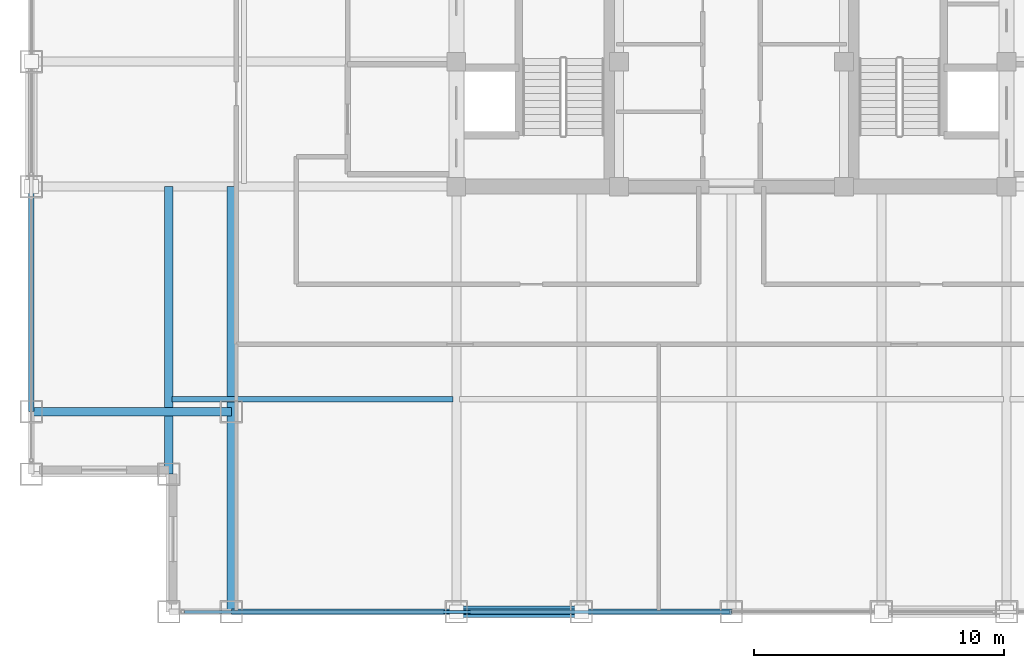
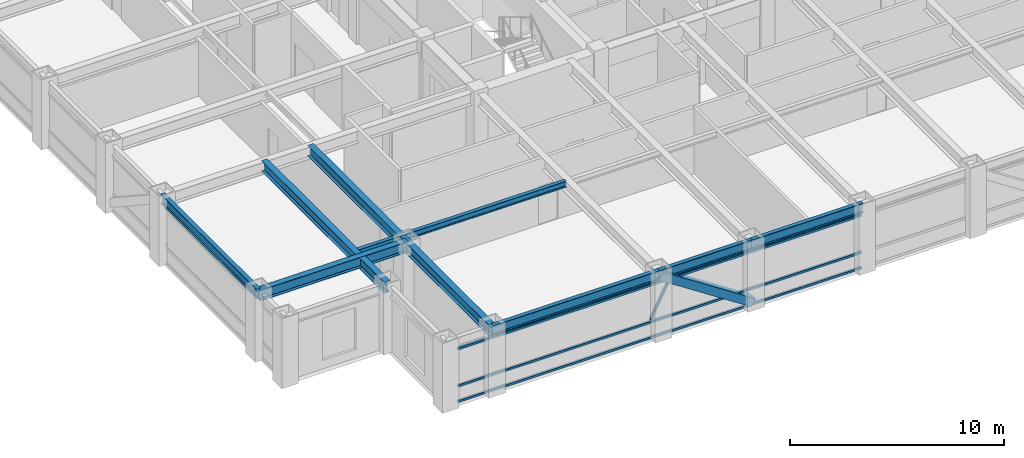
# One storey, part 3 of 22: 8 beams, 5 members, 1 element without a shape of its own.
"""IFC4 building model written with IfcOpenShell, lengths in metres."""

import ifcopenshell
import ifcopenshell.guid

model = None  # the IFC model being written
_history = None  # IfcOwnerHistory: only IFC2X3 demands one
_inside = {}  # id of a spatial element -> (the spatial element, [elements in it])
_under = {}  # id of a project, library or spatial element -> (it, [spatial elements below it])
_declared = {}  # id of a project -> (the project, [libraries it declares])
_typed = {}  # id of a type object -> (the type object, [elements of that type])
_made_of = {}  # id of a material, layer set ... -> (it, [elements and type objects made of it])


def new_model(schema):
    """Start an empty IFC model of exactly this schema.

    Asked for "IFC4X3", IfcOpenShell would pick the latest addendum, in which some entities
    have other attributes; the version numbers below select the first issue.
    IFC2X3 requires an IfcOwnerHistory on every rooted entity: one is made here for all.
    """
    global model, _history
    if schema == "IFC4X3":
        model = ifcopenshell.file(schema_version=(4, 3, 0, 0))
    else:
        model = ifcopenshell.file(schema=schema)
    _inside.clear()
    _under.clear()
    _declared.clear()
    _typed.clear()
    _made_of.clear()
    _history = None
    if model.schema == "IFC2X3":
        org = make("IfcOrganization", Name="unknown")
        user = make(
            "IfcPersonAndOrganization",
            ThePerson=make("IfcPerson", FamilyName="unknown"),
            TheOrganization=org,
        )
        app = make(
            "IfcApplication",
            ApplicationDeveloper=org,
            Version="unknown",
            ApplicationFullName="unknown",
            ApplicationIdentifier="unknown",
        )
        _history = make(
            "IfcOwnerHistory",
            OwningUser=user,
            OwningApplication=app,
            ChangeAction="ADDED",
            CreationDate=0,
        )
    return model


def make(cls, **values):
    """One entity of the class cls with the attributes given. An attribute that is None is left unset."""
    return model.create_entity(
        cls, **{name: value for name, value in values.items() if value is not None}
    )


def rooted(cls, **values):
    """An entity with a GlobalId (a new one), such as an element, a storey or a relation."""
    return make(cls, GlobalId=ifcopenshell.guid.new(), OwnerHistory=_history, **values)


def si_unit(unit_type, name, prefix=None):
    """IfcSIUnit, for example si_unit("LENGTHUNIT", "METRE", prefix="MILLI")."""
    return make("IfcSIUnit", UnitType=unit_type, Prefix=prefix, Name=name)


def assignment(units):
    """IfcUnitAssignment: the units of a project."""
    return None if units is None else make("IfcUnitAssignment", Units=units)


def point(xyz):
    """IfcCartesianPoint."""
    return None if xyz is None else make("IfcCartesianPoint", Coordinates=xyz)


def direction(xyz):
    """IfcDirection."""
    return None if xyz is None else make("IfcDirection", DirectionRatios=xyz)


def frame(location, z_axis=None, x_axis=None):
    """IfcAxis2Placement3D, a coordinate frame: its origin and axes. An axis left out is left unset."""
    return make(
        "IfcAxis2Placement3D",
        Location=point(location),
        Axis=direction(z_axis),
        RefDirection=direction(x_axis),
    )


def frame_2d(location, x_axis=None):
    """IfcAxis2Placement2D, a coordinate frame in the plane: its origin and x axis."""
    return make(
        "IfcAxis2Placement2D", Location=point(location), RefDirection=direction(x_axis)
    )


def origin():
    """The frame at (0, 0, 0) with its axes left unset."""
    return frame((0.0, 0.0, 0.0))


def origin_2d():
    """The frame at (0, 0) in the plane with its x axis left unset."""
    return frame_2d((0.0, 0.0))


def place(relative_to, where):
    """IfcLocalPlacement: puts the frame where relative to a parent placement (None: the world)."""
    return make(
        "IfcLocalPlacement", PlacementRelTo=relative_to, RelativePlacement=where
    )


def context(
    kind, dimensions, precision=None, world=None, true_north=None, identifier=None
):
    """IfcGeometricRepresentationContext, for example the 3D "Model" context."""
    return make(
        "IfcGeometricRepresentationContext",
        ContextIdentifier=identifier,
        ContextType=kind,
        CoordinateSpaceDimension=dimensions,
        Precision=precision,
        WorldCoordinateSystem=world,
        TrueNorth=true_north,
    )


def subcontext(parent, identifier, kind, view, scale=None):
    """IfcGeometricRepresentationSubContext, for example "Body" below "Model"."""
    return make(
        "IfcGeometricRepresentationSubContext",
        ContextIdentifier=identifier,
        ContextType=kind,
        ParentContext=parent,
        TargetScale=scale,
        TargetView=view,
    )


def project(units=None, contexts=None):
    """IfcProject with its units and contexts."""
    return rooted(
        "IfcProject",
        Name="project",
        RepresentationContexts=contexts,
        UnitsInContext=assignment(units),
    )


def spatial(cls, under=None, at=None, **own):
    """A site, building, storey or space (cls), placed at a placement, below another one or the project."""
    s = rooted(cls, ObjectPlacement=at, **own)
    if under is not None:
        _under.setdefault(under.id(), (under, []))[1].append(s)
    return s


def profile(cls, at=None, kind="AREA", **sizes):
    """A parametric profile (cls). Its sizes go by their IFC names, for example OverallWidth=200.0."""
    return make(cls, ProfileType=kind, Position=at, **sizes)


def hollow_rectangle(**sizes):
    """IfcRectangleHollowProfileDef."""
    return profile("IfcRectangleHollowProfileDef", **sizes)


def i_section(**sizes):
    """IfcIShapeProfileDef."""
    return profile("IfcIShapeProfileDef", **sizes)


def extrude(swept, where, along, depth):
    """IfcExtrudedAreaSolid: the profile swept, set in the frame where, extruded along a direction by depth."""
    return make(
        "IfcExtrudedAreaSolid",
        SweptArea=swept,
        Position=where,
        ExtrudedDirection=direction(along),
        Depth=depth,
    )


def shape(context_of_items, identifier, shape_type, items):
    """IfcShapeRepresentation: the items that make up one representation, for example the "Body"."""
    return make(
        "IfcShapeRepresentation",
        ContextOfItems=context_of_items,
        RepresentationIdentifier=identifier,
        RepresentationType=shape_type,
        Items=items,
    )


def source(mapping_origin, context_of_items, identifier, shape_type, items):
    """IfcRepresentationMap: a shape defined once, which mapped items show again and again."""
    return make(
        "IfcRepresentationMap",
        MappingOrigin=mapping_origin,
        MappedRepresentation=shape(context_of_items, identifier, shape_type, items),
    )


def transform(
    local_origin,
    x_axis=None,
    y_axis=None,
    z_axis=None,
    scale=None,
    scale2=None,
    scale3=None,
    uniform=True,
):
    """IfcCartesianTransformationOperator3D, or its non-uniform kind. x_axis, y_axis, z_axis: its Axis1, 2, 3."""
    if uniform:
        return make(
            "IfcCartesianTransformationOperator3D",
            Axis1=direction(x_axis),
            Axis2=direction(y_axis),
            LocalOrigin=point(local_origin),
            Scale=scale,
            Axis3=direction(z_axis),
        )
    return make(
        "IfcCartesianTransformationOperator3DnonUniform",
        Axis1=direction(x_axis),
        Axis2=direction(y_axis),
        LocalOrigin=point(local_origin),
        Scale=scale,
        Axis3=direction(z_axis),
        Scale2=scale2,
        Scale3=scale3,
    )


def mapped(mapping_source, mapping_target):
    """IfcMappedItem: shows the shape of a source again, moved by a transform."""
    return make(
        "IfcMappedItem", MappingSource=mapping_source, MappingTarget=mapping_target
    )


def material(Name=None, Category=None):
    """IfcMaterial."""
    return make("IfcMaterial", Name=Name, Category=Category)


def material_profile(
    of_material, cross_section, Name=None, Category=None, Priority=None
):
    """IfcMaterialProfile: a cross section and its material."""
    return make(
        "IfcMaterialProfile",
        Name=Name,
        Material=of_material,
        Profile=cross_section,
        Priority=Priority,
        Category=Category,
    )


def profile_set(profiles, Name=None, composite=None):
    """IfcMaterialProfileSet."""
    return make(
        "IfcMaterialProfileSet",
        Name=Name,
        MaterialProfiles=profiles,
        CompositeProfile=composite,
    )


def made_of(thing, what):
    """Note that an element or type object is made of a material, layer set ...; save() writes the relation."""
    if what is not None:
        _made_of.setdefault(what.id(), (what, []))[1].append(thing)
    return thing


def type_object(cls, material=None, **own):
    """A type object (cls), such as IfcWallType, which elements share."""
    return made_of(rooted(cls, **own), material)


def element(
    cls,
    number,
    at=None,
    inside=None,
    cuts=None,
    type_object=None,
    material=None,
    context=None,
    identifier="Body",
    shape_type=None,
    held_by="IfcProductDefinitionShape",
    body=None,
    shapes=None,
    **own,
):
    """One element of the class cls, such as IfcWall. Its Tag is "e" and its number.

    at: its placement. inside: the storey or other place that contains it. cuts: it is an
    opening in that element (IfcRelVoidsElement). A single representation is given by context,
    identifier, shape_type and body (its items); several are given by shapes. held_by: the class
    of the entity that holds the representations. save() writes the other relations.
    """
    e = rooted(cls, Tag="e%d" % number, ObjectPlacement=at, **own)
    if body is not None:
        shapes = [shape(context, identifier, shape_type, body)]
    if shapes is not None:
        e.Representation = make(held_by, Representations=shapes)
    if inside is not None:
        _inside.setdefault(inside.id(), (inside, []))[1].append(e)
    if cuts is not None:
        rooted(
            "IfcRelVoidsElement", RelatingBuildingElement=cuts, RelatedOpeningElement=e
        )
    if type_object is not None:
        _typed.setdefault(type_object.id(), (type_object, []))[1].append(e)
    return made_of(e, material)


def aggregate(whole, parts):
    """IfcRelAggregates: a whole, such as a stair, and the parts it consists of."""
    return rooted("IfcRelAggregates", RelatingObject=whole, RelatedObjects=parts)


def save(model, path):
    """Write the relations noted so far, then the file.

    IfcRelAggregates (storeys below a building ...), IfcRelContainedInSpatialStructure (elements
    in a storey), IfcRelDefinesByType, IfcRelAssociatesMaterial and IfcRelDeclares: one each for
    every whole, place, type object, material and project.
    """
    for whole, parts in _under.values():
        aggregate(whole, parts)
    for where, things in _inside.values():
        rooted(
            "IfcRelContainedInSpatialStructure",
            RelatedElements=things,
            RelatingStructure=where,
        )
    for kind, things in _typed.values():
        rooted("IfcRelDefinesByType", RelatedObjects=things, RelatingType=kind)
    for what, things in _made_of.values():
        rooted("IfcRelAssociatesMaterial", RelatedObjects=things, RelatingMaterial=what)
    for by, libraries in _declared.values():
        rooted("IfcRelDeclares", RelatingContext=by, RelatedDefinitions=libraries)
    model.write(path)


model = new_model("IFC4")

# Units and contexts
model_context = context("Model", 3, precision=1e-05, world=origin(), true_north=direction((0.0, 1.0)))
body_context = subcontext(model_context, "Body", "Model", "MODEL_VIEW")
ifc_project = project(units=[si_unit("LENGTHUNIT", "METRE"), si_unit("AREAUNIT", "SQUARE_METRE"), si_unit("VOLUMEUNIT", "CUBIC_METRE"), si_unit("PLANEANGLEUNIT", "RADIAN"), si_unit("MASSUNIT", "GRAM", prefix="KILO")], contexts=[model_context])

# Site, building, storey
site_placement = place(None, origin())
site = spatial("IfcSite", under=ifc_project, at=site_placement, CompositionType="ELEMENT")
building_placement = place(site_placement, origin())
building = spatial("IfcBuilding", under=site, at=building_placement, Name="Khorayat Bourse Tower", CompositionType="ELEMENT")
storey_placement = place(building_placement, frame((0.0, 0.0, 309.5)))
storey = spatial("IfcBuildingStorey", under=building, at=storey_placement, Name="L73", CompositionType="ELEMENT", Elevation=309.5)

# Beam
ifc_material_1 = material(Name="Steel ASTM A992 Grade 50", Category="steel")
ifc_material_profile_1 = material_profile(ifc_material_1, i_section(OverallWidth=0.324951171875, OverallDepth=0.615966796875, WebThickness=0.013916015625, FlangeThickness=0.021484375, FilletRadius=0.01611328125, at=origin_2d()), Name="W610X174")
ifc_profile_set_1 = profile_set([ifc_material_profile_1], Name="Steel ASTM A992 Grade 50")
beam_type_1 = type_object("IfcBeamType", Name="BM-GIRD-610", PredefinedType="BEAM", material=ifc_profile_set_1)
shared_shape_1 = source(origin(), body_context, "Body", "SweptSolid", [
    extrude(i_section(OverallWidth=0.324951171875, OverallDepth=0.615966796875, WebThickness=0.013916015625, FlangeThickness=0.021484375, FilletRadius=0.01611328125, at=origin_2d()), origin(), (0.0, 0.0, 1.0), 17.0),
])
beam_1_placement = place(storey_placement, frame((-20.0, -28.0, 3.471923828125), z_axis=(0.0, 1.0, 0.0), x_axis=(-1.0, 0.0, 0.0)))
element("IfcBeam", 1, at=beam_1_placement, inside=storey, type_object=beam_type_1, Name="L73 BM-GIRD-610 BM-L73-CNRY-084", PredefinedType="BEAM", context=body_context, shape_type="MappedRepresentation", body=[
    mapped(shared_shape_1, transform((0.0, 0.0, 0.0), scale=1.0)),
])

# Member
ifc_material_2 = material(Name="Steel EN 10025-4 S460M", Category="steel")
ifc_material_profile_2 = material_profile(ifc_material_2, hollow_rectangle(XDim=0.449951171875, YDim=0.449951171875, WallThickness=0.02490234375, at=origin_2d()), Name="HSS 450x450x25")
ifc_profile_set_2 = profile_set([ifc_material_profile_2], Name="Steel EN 10025-4 S460M")
member_type_1 = type_object("IfcMemberType", Name="MBR-TUBE-450", PredefinedType="BRACE", material=ifc_profile_set_2)
shared_shape_2 = source(origin(), body_context, "Body", "SweptSolid", [
    extrude(hollow_rectangle(XDim=0.449951171875, YDim=0.449951171875, WallThickness=0.02490234375, at=origin_2d()), origin(), (0.0, 0.0, 1.0), 5.979736328125),
])
member_1_placement = place(storey_placement, frame((-11.0, -28.0, 3.530029296875), z_axis=(0.836141536525, 0.0, -0.548513747227), x_axis=(0.0, 1.0, 0.0)))
element("IfcMember", 2, at=member_1_placement, inside=storey, type_object=member_type_1, Name="L73 Perimeter Tube Brace 01", PredefinedType="BRACE", context=body_context, shape_type="MappedRepresentation", body=[
    mapped(shared_shape_2, transform((0.0, 0.0, 0.0), scale=1.0)),
])

# Beams
shared_shape_3 = source(origin(), body_context, "Body", "SweptSolid", [
    extrude(i_section(OverallWidth=0.324951171875, OverallDepth=0.615966796875, WebThickness=0.013916015625, FlangeThickness=0.021484375, FilletRadius=0.01611328125, at=origin_2d()), origin(), (0.0, 0.0, 1.0), 11.5),
])
beam_2_placement = place(storey_placement, frame((-22.5, -22.5, 3.471923828125), z_axis=(0.0, 1.0, 0.0), x_axis=(-1.0, 0.0, 0.0)))
element("IfcBeam", 3, at=beam_2_placement, inside=storey, type_object=beam_type_1, Name="L73 BM-GIRD-610 BM-L73-CNRY-088", PredefinedType="BEAM", context=body_context, shape_type="MappedRepresentation", body=[
    mapped(shared_shape_3, transform((0.0, 0.0, 0.0), scale=1.0)),
])
shared_shape_4 = source(origin(), body_context, "Body", "SweptSolid", [
    extrude(i_section(OverallWidth=0.324951171875, OverallDepth=0.615966796875, WebThickness=0.013916015625, FlangeThickness=0.021484375, FilletRadius=0.01611328125, at=origin_2d()), origin(), (0.0, 0.0, 1.0), 8.0),
])
beam_3_placement = place(storey_placement, frame((-28.0, -20.0, 3.471923828125), z_axis=(1.0, 0.0, 0.0), x_axis=(0.0, 1.0, 0.0)))
element("IfcBeam", 4, at=beam_3_placement, inside=storey, type_object=beam_type_1, Name="L73 BM-GIRD-610 BM-L73-CNRX-093", PredefinedType="BEAM", context=body_context, shape_type="MappedRepresentation", body=[
    mapped(shared_shape_4, transform((0.0, 0.0, 0.0), scale=1.0)),
])
ifc_material_profile_3 = material_profile(ifc_material_1, i_section(OverallWidth=0.202880859375, OverallDepth=0.346923828125, WebThickness=0.0078125, FlangeThickness=0.013427734375, FilletRadius=0.010009765625, at=origin_2d()), Name="W360X64")
ifc_profile_set_3 = profile_set([ifc_material_profile_3], Name="Steel ASTM A992 Grade 50")
beam_type_2 = type_object("IfcBeamType", Name="BM-JOIST-360", PredefinedType="JOIST", material=ifc_profile_set_3)
shared_shape_5 = source(origin(), body_context, "Body", "SweptSolid", [
    extrude(i_section(OverallWidth=0.202880859375, OverallDepth=0.346923828125, WebThickness=0.0078125, FlangeThickness=0.013427734375, FilletRadius=0.010009765625, at=origin_2d()), origin(), (0.0, 0.0, 1.0), 11.240234375),
])
beam_4_placement = place(storey_placement, frame((-22.3701171875, -19.5, 3.6064453125), z_axis=(1.0, 0.0, 0.0), x_axis=(0.0, 1.0, 0.0)))
element("IfcBeam", 5, at=beam_4_placement, inside=storey, type_object=beam_type_2, Name="L73 BM-JOIST-360 BM-L73-JSTX-096", PredefinedType="JOIST", context=body_context, shape_type="MappedRepresentation", body=[
    mapped(shared_shape_5, transform((0.0, 0.0, 0.0), scale=1.0)),
])
ifc_material_profile_4 = material_profile(ifc_material_1, i_section(OverallWidth=0.214111328125, OverallDepth=0.549072265625, WebThickness=0.0146484375, FlangeThickness=0.023681640625, FilletRadius=0.013916015625, at=origin_2d()), Name="W530X138")
ifc_profile_set_4 = profile_set([ifc_material_profile_4], Name="Steel ASTM A992 Grade 50")
beam_type_3 = type_object("IfcBeamType", Name="BM-SPAN-530", PredefinedType="SPANDREL", material=ifc_profile_set_4)
shared_shape_6 = source(origin(), body_context, "Body", "SweptSolid", [
    extrude(i_section(OverallWidth=0.214111328125, OverallDepth=0.549072265625, WebThickness=0.0146484375, FlangeThickness=0.023681640625, FilletRadius=0.013916015625, at=origin_2d()), origin(), (0.0, 0.0, 1.0), 9.0),
])
for number, where, z_axis, x_axis, name in (
    (6, (-20.0, -28.0, 3.505615234375), (1.0, 0.0, 0.0), (0.0, 1.0, 0.0), "L73 BM-SPAN-530 BM-L73-SPN-025"),
    (7, (-28.0, -20.0, 3.505615234375), (0.0, 1.0, 0.0), (-1.0, 0.0, 0.0), "L73 BM-SPAN-530 BM-L73-SPN-060"),
):
    element("IfcBeam", number, at=place(storey_placement, frame(where, z_axis=z_axis, x_axis=x_axis)), inside=storey, type_object=beam_type_3, Name=name, PredefinedType="SPANDREL", context=body_context, shape_type="MappedRepresentation", body=[
        mapped(shared_shape_6, transform((0.0, 0.0, 0.0), scale=1.0)),
    ])
shared_shape_7 = source(origin(), body_context, "Body", "SweptSolid", [
    extrude(i_section(OverallWidth=0.214111328125, OverallDepth=0.549072265625, WebThickness=0.0146484375, FlangeThickness=0.023681640625, FilletRadius=0.013916015625, at=origin_2d()), origin(), (0.0, 0.0, 1.0), 5.0),
])
beam_5_placement = place(storey_placement, frame((-11.0, -28.0, 3.505615234375), z_axis=(1.0, 0.0, 0.0), x_axis=(0.0, 1.0, 0.0)))
element("IfcBeam", 8, at=beam_5_placement, inside=storey, type_object=beam_type_3, Name="L73 BM-SPAN-530 BM-L73-SPN-026", PredefinedType="SPANDREL", context=body_context, shape_type="MappedRepresentation", body=[
    mapped(shared_shape_7, transform((0.0, 0.0, 0.0), scale=1.0)),
])
shared_shape_8 = source(origin(), body_context, "Body", "SweptSolid", [
    extrude(i_section(OverallWidth=0.214111328125, OverallDepth=0.549072265625, WebThickness=0.0146484375, FlangeThickness=0.023681640625, FilletRadius=0.013916015625, at=origin_2d()), origin(), (0.0, 0.0, 1.0), 6.0),
])
beam_6_placement = place(storey_placement, frame((-6.0, -28.0, 3.505615234375), z_axis=(1.0, 0.0, 0.0), x_axis=(0.0, 1.0, 0.0)))
element("IfcBeam", 9, at=beam_6_placement, inside=storey, type_object=beam_type_3, Name="L73 BM-SPAN-530 BM-L73-SPN-027", PredefinedType="SPANDREL", context=body_context, shape_type="MappedRepresentation", body=[
    mapped(shared_shape_8, transform((0.0, 0.0, 0.0), scale=1.0)),
])

# Curtain wall, members
ifc_material_3 = material(Name="Aluminium EN AW-6063 T6", Category="aluminium")
curtain_wall_type = type_object("IfcCurtainWallType", Name="CW-SYS-04", PredefinedType="NOTDEFINED", material=ifc_material_3)
curtain_wall_placement = place(storey_placement, origin())
curtain_wall = element("IfcCurtainWall", 10, at=curtain_wall_placement, inside=storey, type_object=curtain_wall_type, Name="L73 Curtain Wall CW-L73-S1", PredefinedType="NOTDEFINED")
ifc_material_profile_5 = material_profile(ifc_material_3, hollow_rectangle(XDim=0.1201171875, YDim=0.1201171875, WallThickness=0.0048828125, at=origin_2d()), Name="ALU 120x120x5")
ifc_profile_set_5 = profile_set([ifc_material_profile_5], Name="Aluminium EN AW-6063 T6")
member_type_2 = type_object("IfcMemberType", Name="CWM-DIAG-120", PredefinedType="MULLION", material=ifc_profile_set_5)
shared_shape_9 = source(origin(), body_context, "Body", "SweptSolid", [
    extrude(hollow_rectangle(XDim=0.1201171875, YDim=0.1201171875, WallThickness=0.0048828125, at=origin_2d()), origin(), (0.0, 0.0, 1.0), 2.0791015625),
])
member_2_placement = place(storey_placement, frame((-11.4541015625, -28.0, 1.090087890625), z_axis=(0.465717394116, 0.0, 0.884933505309), x_axis=(0.0, 1.0, 0.0)))
member_2 = element("IfcMember", 11, at=member_2_placement, type_object=member_type_2, Name="CW-L73-S1 Faceted Diagonal Mullion 1", PredefinedType="MULLION", context=body_context, shape_type="MappedRepresentation", body=[
    mapped(shared_shape_9, transform((0.0, 0.0, 0.0), scale=1.0)),
])
ifc_material_profile_6 = material_profile(ifc_material_3, hollow_rectangle(XDim=0.1201171875, YDim=0.1201171875, WallThickness=0.0048828125, at=origin_2d()), Name="ALU 120x120x5")
ifc_profile_set_6 = profile_set([ifc_material_profile_6], Name="Aluminium EN AW-6063 T6")
member_type_3 = type_object("IfcMemberType", Name="CWT-HORZ-120", PredefinedType="USERDEFINED", material=ifc_profile_set_6)
shared_shape_10 = source(origin(), body_context, "Body", "SweptSolid", [
    extrude(hollow_rectangle(XDim=0.1201171875, YDim=0.1201171875, WallThickness=0.0048828125, at=origin_2d()), origin(), (0.0, 0.0, 1.0), 21.81982421875),
])
member_3_placement = place(storey_placement, frame((-21.8798828125, -28.0, 0.06005859375), z_axis=(1.0, 0.0, 0.0), x_axis=(0.0, 1.0, 0.0)))
member_3 = element("IfcMember", 12, at=member_3_placement, type_object=member_type_3, Name="CW-L73-S1 Horizontal Transom 1-1", ObjectType="TRANSOM", PredefinedType="USERDEFINED", context=body_context, shape_type="MappedRepresentation", body=[
    mapped(shared_shape_10, transform((0.0, 0.0, 0.0), scale=1.0)),
])
member_4_placement = place(storey_placement, frame((-21.8798828125, -28.0, 0.949951171875), z_axis=(1.0, 0.0, 0.0), x_axis=(0.0, 1.0, 0.0)))
member_4 = element("IfcMember", 13, at=member_4_placement, type_object=member_type_3, Name="CW-L73-S1 Horizontal Transom 1-2", ObjectType="TRANSOM", PredefinedType="USERDEFINED", context=body_context, shape_type="MappedRepresentation", body=[
    mapped(shared_shape_10, transform((0.0, 0.0, 0.0), scale=1.0)),
])
member_5_placement = place(storey_placement, frame((-21.8798828125, -28.0, 3.070068359375), z_axis=(1.0, 0.0, 0.0), x_axis=(0.0, 1.0, 0.0)))
member_5 = element("IfcMember", 14, at=member_5_placement, type_object=member_type_3, Name="CW-L73-S1 Horizontal Transom 1-3", ObjectType="TRANSOM", PredefinedType="USERDEFINED", context=body_context, shape_type="MappedRepresentation", body=[
    mapped(shared_shape_10, transform((0.0, 0.0, 0.0), scale=1.0)),
])
aggregate(curtain_wall, [member_3, member_4, member_5, member_2])

save(model, "model.ifc")
